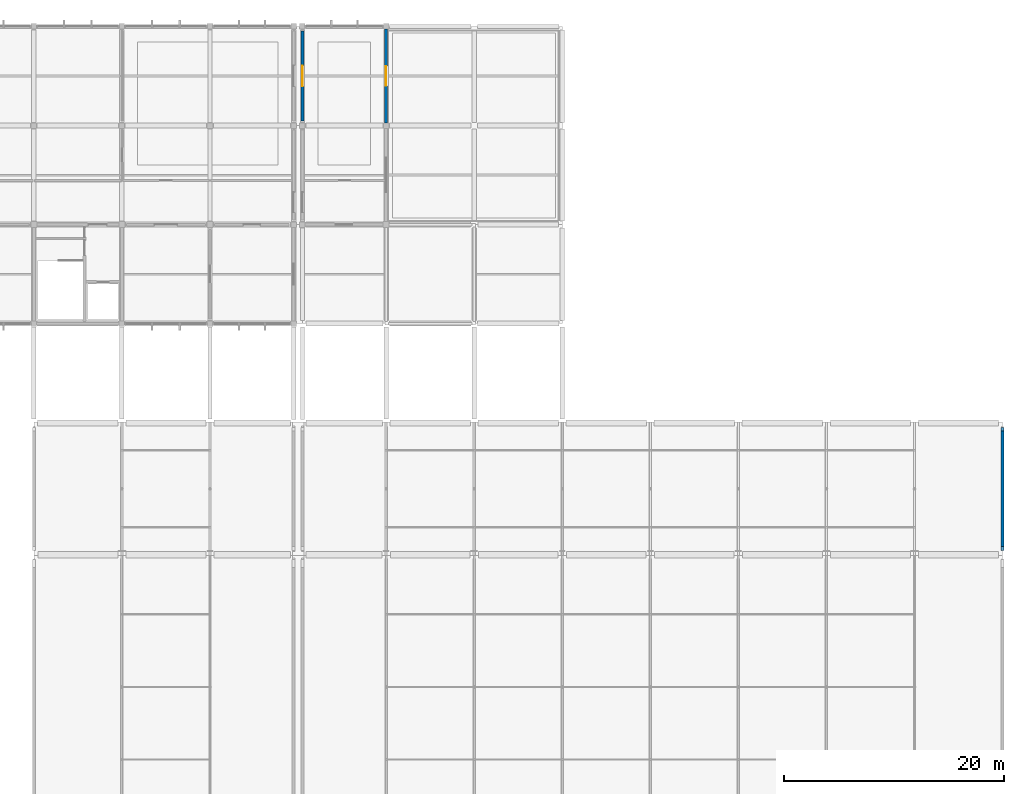
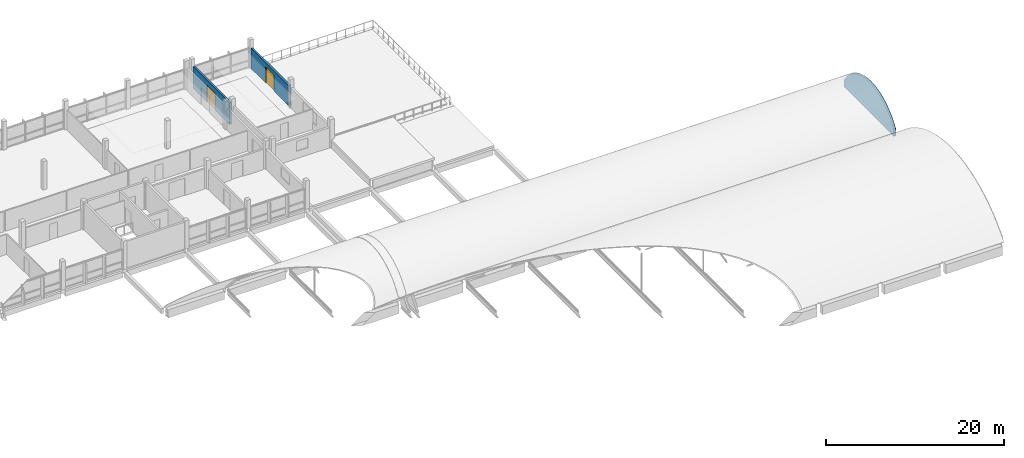
# One storey, part 54 of 57: 3 walls, 2 doors, 2 openings.
"""IFC4 building model written with IfcOpenShell, lengths in metres."""

from ifc_helpers import new_model, si_unit, direction, frame, frame_2d, origin, place, context, subcontext, project, spatial, polyline, rectangle, outline, extrude, material, layer, layer_set, type_object, element, fill, save


model = new_model("IFC4")

# Units and contexts
model_context = context("Model", 3, precision=1e-05, world=origin(), true_north=direction((0.0, 1.0)))
body_context = subcontext(model_context, "Body", "Model", "MODEL_VIEW")
ifc_project = project(units=[si_unit("LENGTHUNIT", "METRE"), si_unit("AREAUNIT", "SQUARE_METRE"), si_unit("VOLUMEUNIT", "CUBIC_METRE"), si_unit("PLANEANGLEUNIT", "RADIAN"), si_unit("MASSUNIT", "GRAM", prefix="KILO"), si_unit("THERMODYNAMICTEMPERATUREUNIT", "KELVIN"), si_unit("POWERUNIT", "WATT")], contexts=[model_context])

# Site, building, storey
site_placement = place(None, origin())
site = spatial("IfcSite", under=ifc_project, at=site_placement, CompositionType="ELEMENT")
building_placement = place(site_placement, origin())
building = spatial("IfcBuilding", under=site, at=building_placement, Name="Kronsvod Quay Wholesale Market", CompositionType="ELEMENT")
storey_placement = place(building_placement, frame((0.0, 0.0, 13.199951171875)))
storey = spatial("IfcBuildingStorey", under=building, at=storey_placement, Name="L03", CompositionType="ELEMENT", Elevation=13.199951171875)

# Wall, opening, door
ifc_material_1 = material(Name="Precast concrete C40/50", Category="concrete")
ifc_layer_1 = layer(ifc_material_1, 0.280029296875)
ifc_layer_set_1 = layer_set([ifc_layer_1], Name="Precast concrete C40/50")
wall_type_1 = type_object("IfcWallType", Name="Wall_ExtPrecast280", PredefinedType="SOLIDWALL", material=ifc_layer_set_1)
wall_1_placement = place(storey_placement, frame((136.0, 117.2451171875, 0.0), z_axis=(0.0, 0.0, 1.0), x_axis=(0.0, 1.0, 0.0)))
wall_1 = element("IfcWall", 1, at=wall_1_placement, inside=storey, type_object=wall_type_1, Name="EW-Y-L03-0214", PredefinedType="SOLIDWALL", context=body_context, shape_type="SweptSolid", body=[
    extrude(rectangle(XDim=8.509765625, YDim=0.280029296875, at=frame_2d((4.2548828125, 0.0))), origin(), (0.0, 0.0, 1.0), 2.75),
])
opening_1_placement = place(wall_1_placement, frame((3.35498046875, 0.0, 0.0)))
opening_1 = element("IfcOpeningElement", 2, at=opening_1_placement, cuts=wall_1, Name="Opening ED-060", PredefinedType="OPENING", context=body_context, shape_type="SweptSolid", body=[
    extrude(rectangle(XDim=1.800048828125, YDim=2.25, at=frame_2d((0.89990234375, 1.125))), frame((0.0, 0.14990234375, 0.0), z_axis=(0.0, -1.0, 0.0), x_axis=(1.0, 0.0, 0.0)), (0.0, 0.0, 1.0), 0.300048828125),
])
ifc_material_2 = material(Name="Thermally broken aluminium and glass", Category="aluminium")
door_type_1 = type_object("IfcDoorType", Name="Door_GardenDouble180x225", OperationType="DOUBLE_DOOR_SINGLE_SWING", PredefinedType="DOOR", material=ifc_material_2)
door_1_placement = place(opening_1_placement, frame((1.800048828125, 0.0, 0.0), z_axis=(0.0, 0.0, 1.0), x_axis=(-1.0, 0.0, 0.0)))
door_1 = element("IfcDoor", 3, at=door_1_placement, inside=storey, type_object=door_type_1, Name="Terrace Access Door ED-060", OperationType="DOUBLE_DOOR_SINGLE_SWING", OverallHeight=2.25, OverallWidth=1.800048828125, PredefinedType="DOOR", context=body_context, shape_type="SweptSolid", body=[
    extrude(rectangle(XDim=1.800048828125, YDim=2.25, at=frame_2d((0.89990234375, 1.125))), frame((0.0, 0.02490234375, 0.0), z_axis=(0.0, -1.0, 0.0), x_axis=(1.0, 0.0, 0.0)), (0.0, 0.0, 1.0), 0.050048828125),
])
fill(opening_1, door_1)

ifc_material_3 = material(Name="Precast concrete C40/50", Category="concrete")
ifc_layer_2 = layer(ifc_material_3, 0.239990234375)
ifc_layer_set_2 = layer_set([ifc_layer_2], Name="Precast concrete C40/50")
wall_type_2 = type_object("IfcWallType", Name="Wall_ExtSpandrel240", PredefinedType="SOLIDWALL", material=ifc_layer_set_2)
wall_2_placement = place(storey_placement, frame((128.39990234375, 117.419921875, 0.0), z_axis=(0.0, 0.0, 1.0), x_axis=(0.0, 1.0, 0.0)))
wall_2 = element("IfcWall", 4, at=wall_2_placement, inside=storey, type_object=wall_type_2, Name="MJWG-L03-1284-1170", PredefinedType="SOLIDWALL", context=body_context, shape_type="SweptSolid", body=[
    extrude(rectangle(XDim=8.16015625, YDim=0.239990234375, at=frame_2d((4.080078125, 0.0))), origin(), (0.0, 0.0, 1.0), 3.010009765625),
])
opening_2_placement = place(wall_2_placement, frame((3.1298828125, 0.0, 0.0)))
opening_2 = element("IfcOpeningElement", 5, at=opening_2_placement, cuts=wall_2, Name="Opening D-0397", PredefinedType="OPENING", context=body_context, shape_type="SweptSolid", body=[
    extrude(rectangle(XDim=1.89990234375, YDim=2.35009765625, at=frame_2d((0.949951171875, 1.175048828125))), frame((0.0, 0.1298828125, 0.0), z_axis=(0.0, -1.0, 0.0), x_axis=(1.0, 0.0, 0.0)), (0.0, 0.0, 1.0), 0.260009765625),
])
ifc_material_4 = material(Name="Painted galvanized fire steel", Category="steel")
door_type_2 = type_object("IfcDoorType", Name="Door_FireComp190x235", OperationType="DOUBLE_DOOR_SINGLE_SWING", PredefinedType="DOOR", material=ifc_material_4)
door_2_placement = place(opening_2_placement, origin())
door_2 = element("IfcDoor", 6, at=door_2_placement, inside=storey, type_object=door_type_2, Name="Fire Compartment Door D-0397", OperationType="DOUBLE_DOOR_SINGLE_SWING", OverallHeight=2.35009765625, OverallWidth=1.89990234375, PredefinedType="DOOR", context=body_context, shape_type="SweptSolid", body=[
    extrude(rectangle(XDim=1.89990234375, YDim=2.35009765625, at=frame_2d((0.949951171875, 1.175048828125))), frame((0.0, 0.02490234375, 0.0), z_axis=(0.0, -1.0, 0.0), x_axis=(1.0, 0.0, 0.0)), (0.0, 0.0, 1.0), 0.050048828125),
])
fill(opening_2, door_2)

# Wall
ifc_material_5 = material(Name="Precast concrete C40/50", Category="concrete")
ifc_layer_3 = layer(ifc_material_5, 0.260009765625)
ifc_layer_set_3 = layer_set([ifc_layer_3], Name="Precast concrete C40/50")
wall_type_3 = type_object("IfcWallType", Name="Wall_ExtTympanum260", PredefinedType="SOLIDWALL", material=ifc_layer_set_3)
wall_3_placement = place(storey_placement, frame((192.0, 78.419921875, -0.25), z_axis=(0.0, 0.0, 1.0), x_axis=(0.0, 1.0, 0.0)))
element("IfcWall", 7, at=wall_3_placement, inside=storey, type_object=wall_type_3, Name="TYMP-16", PredefinedType="SOLIDWALL", context=body_context, shape_type="SweptSolid", body=[
    extrude(outline(polyline([(0.0, 0.0), (11.16015625, 0.0), (11.159912109375, 1.024169921875), (10.36279296875, 2.062255859375), (9.565673828125, 2.78173828125), (8.7685546875, 3.3037109375), (7.971435546875, 3.678955078125), (7.17431640625, 3.93359375), (6.377197265625, 4.08154296875), (5.580078125, 4.130126953125), (4.782958984375, 4.08154296875), (3.985595703125, 3.93359375), (3.188720703125, 3.678955078125), (2.391357421875, 3.3037109375), (1.59423828125, 2.78173828125), (0.797119140625, 2.062255859375), (0.0, 1.024169921875), (0.0, 0.0)])), frame((0.0, 0.1298828125, 0.0), z_axis=(0.0, -1.0, 0.0), x_axis=(1.0, 0.0, 0.0)), (0.0, 0.0, 1.0), 0.260009765625),
])

save(model, "model.ifc")
